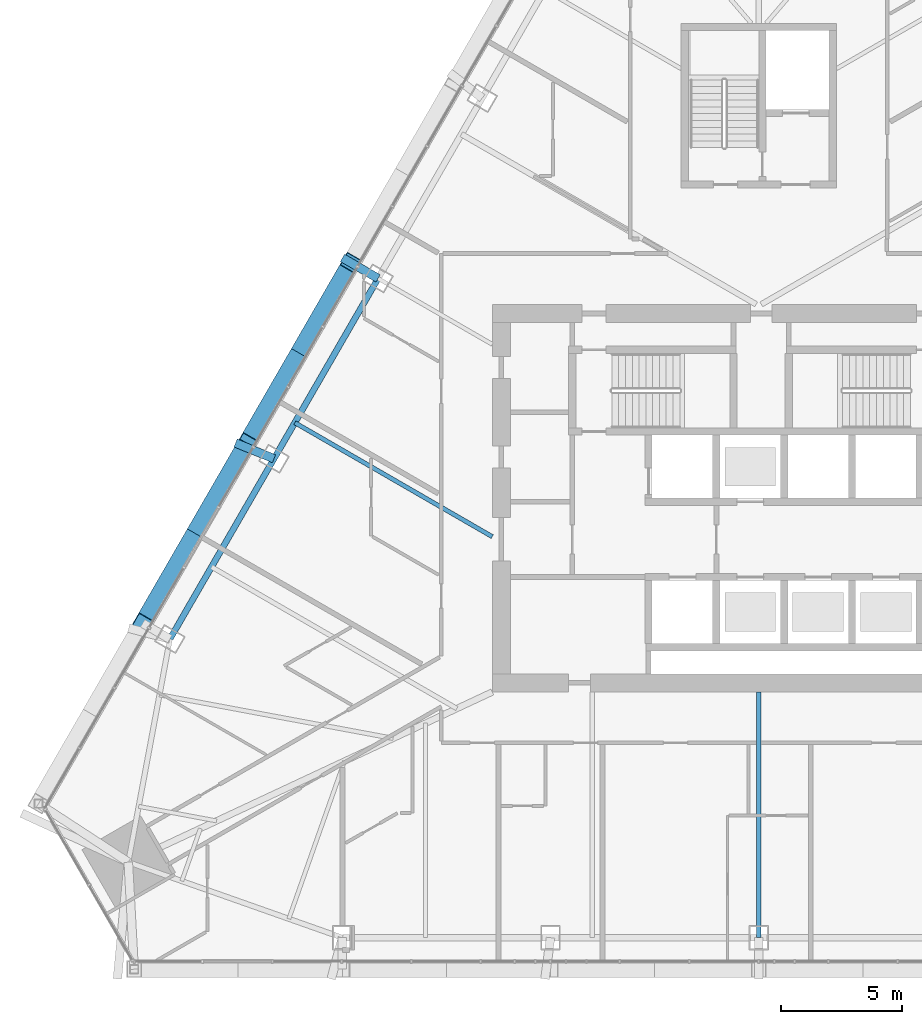
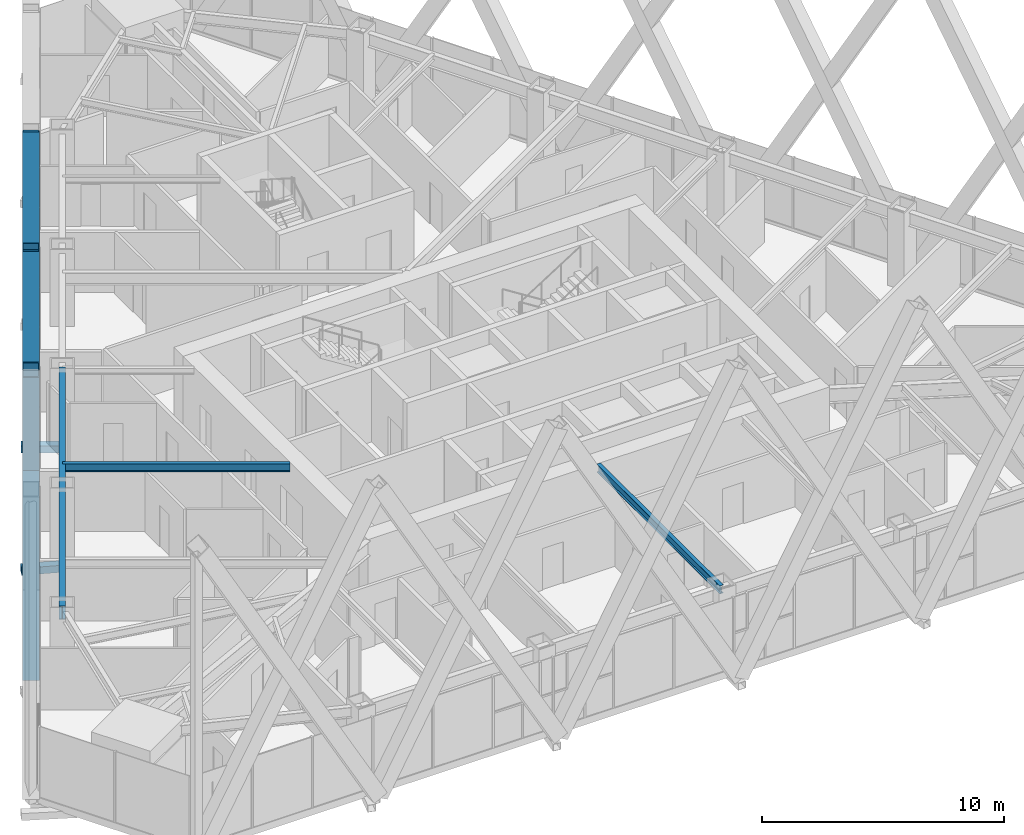
# One storey, part 8 of 23: 6 members, 3 beams.
"""IFC4 building model written with IfcOpenShell, lengths in metres."""

from ifc_helpers import new_model, si_unit, direction, frame, origin, origin_2d, place, context, subcontext, project, spatial, hollow_rectangle, i_section, extrude, material, material_profile, profile_set, type_object, element, save


model = new_model("IFC4")

# Units and contexts
model_context = context("Model", 3, precision=1e-05, world=origin(), true_north=direction((0.0, 1.0)))
body_context = subcontext(model_context, "Body", "Model", "MODEL_VIEW")
ifc_project = project(units=[si_unit("LENGTHUNIT", "METRE"), si_unit("AREAUNIT", "SQUARE_METRE"), si_unit("VOLUMEUNIT", "CUBIC_METRE"), si_unit("PLANEANGLEUNIT", "RADIAN"), si_unit("MASSUNIT", "GRAM", prefix="KILO")], contexts=[model_context])

# Site, building, storey
site_placement = place(None, origin())
site = spatial("IfcSite", under=ifc_project, at=site_placement, CompositionType="ELEMENT")
building_placement = place(site_placement, origin())
building = spatial("IfcBuilding", under=site, at=building_placement, Name="Firuza Gate Tower and Library", CompositionType="ELEMENT")
storey_placement = place(building_placement, frame((0.0, 0.0, 202.60009765625)))
storey = spatial("IfcBuildingStorey", under=building, at=storey_placement, Name="L47", CompositionType="ELEMENT", Elevation=202.60009765625)

# Members
ifc_material_1 = material(Name="Steel S355", Category="steel")
ifc_material_profile_1 = material_profile(ifc_material_1, hollow_rectangle(XDim=0.699951171875, YDim=0.699951171875, WallThickness=0.030029296875, at=origin_2d()))
ifc_profile_set_1 = profile_set([ifc_material_profile_1], Name="Steel S355")
member_type_1 = type_object("IfcMemberType", Name="BU700x700x30 Lattice brace", PredefinedType="BRACE", material=ifc_profile_set_1)
for number, where, z_axis, x_axis, name in (
    (1, (58.1630859375, 84.720947265625, 0.0), (-0.241257548081, -0.417869039528, 0.875888269871), (0.866024734654, -0.500001158966, 0.0), "Lattice brace W 11.4R"),
    (2, (53.8662109375, 77.278564453125, 0.0), (0.241257548081, 0.417869039528, 0.875888269871), (-0.866024734654, 0.500001158966, 0.0), "Lattice brace W 11.4L"),
    (3, (53.8662109375, 77.278564453125, 0.0), (-0.241257548081, -0.417869039528, 0.875888269871), (0.866024734654, -0.500001158966, 0.0), "Lattice brace W 11.5R"),
    (4, (49.5693359375, 69.836181640625, 0.0), (0.241257548081, 0.417869039528, 0.875888269871), (-0.866024734654, 0.500001158966, 0.0), "Lattice brace W 11.5L"),
):
    element("IfcMember", number, at=place(storey_placement, frame(where, z_axis=z_axis, x_axis=x_axis)), inside=storey, type_object=member_type_1, Name=name, PredefinedType="BRACE", context=body_context, shape_type="SweptSolid", body=[
        extrude(hollow_rectangle(XDim=0.699951171875, YDim=0.699951171875, WallThickness=0.030029296875, at=origin_2d()), origin(), (0.0, 0.0, 1.0), 17.810302734375),
    ])
ifc_material_2 = material(Name="Steel S355", Category="steel")
ifc_material_profile_2 = material_profile(ifc_material_2, hollow_rectangle(XDim=0.355712890625, YDim=0.355712890625, WallThickness=0.014892578125, at=origin_2d()))
ifc_profile_set_2 = profile_set([ifc_material_profile_2], Name="Steel S355")
member_type_2 = type_object("IfcMemberType", Name="HSS356x356x16 Lattice node tie", PredefinedType="BRACE", material=ifc_profile_set_2)
member_1_placement = place(storey_placement, frame((54.991943359375, 76.62841796875, -0.320068359375), z_axis=(-0.925290391494, 0.379259398576, 0.0), x_axis=(-0.379259398576, -0.925290391494, 0.0)))
element("IfcMember", 5, at=member_1_placement, inside=storey, type_object=member_type_2, Name="Lattice node tie W L47 255", PredefinedType="BRACE", context=body_context, shape_type="SweptSolid", body=[
    extrude(hollow_rectangle(XDim=0.355712890625, YDim=0.355712890625, WallThickness=0.014892578125, at=origin_2d()), origin(), (0.0, 0.0, 1.0), 1.71435546875),
])
member_2_placement = place(storey_placement, frame((59.288818359375, 84.07080078125, -0.320068359375), z_axis=(-0.865996484538, 0.500050086259, 0.0), x_axis=(-0.500050086259, -0.865996484538, 0.0)))
element("IfcMember", 6, at=member_2_placement, inside=storey, type_object=member_type_2, Name="Lattice node tie W L47 256", PredefinedType="BRACE", context=body_context, shape_type="SweptSolid", body=[
    extrude(hollow_rectangle(XDim=0.355712890625, YDim=0.355712890625, WallThickness=0.014892578125, at=origin_2d()), origin(), (0.0, 0.0, 1.0), 1.698486328125),
])

# Beams
ifc_material_3 = material(Name="Steel S355", Category="steel")
ifc_material_profile_3 = material_profile(ifc_material_3, i_section(OverallWidth=0.177978515625, OverallDepth=0.406982421875, WebThickness=0.0078125, FlangeThickness=0.0126953125, at=origin_2d()))
ifc_profile_set_3 = profile_set([ifc_material_profile_3], Name="Steel S355")
beam_type_1 = type_object("IfcBeamType", Name="W410x60 Floor beam", PredefinedType="JOIST", material=ifc_profile_set_3)
beam_1_placement = place(storey_placement, frame((75.0, 56.8583984375, 3.496337890625), z_axis=(0.0, 1.0, 0.0), x_axis=(-1.0, 0.0, 0.0)))
element("IfcBeam", 7, at=beam_1_placement, inside=storey, type_object=beam_type_1, Name="Floor beam L47 s22", PredefinedType="JOIST", context=body_context, shape_type="SweptSolid", body=[
    extrude(i_section(OverallWidth=0.177978515625, OverallDepth=0.406982421875, WebThickness=0.0078125, FlangeThickness=0.0126953125, at=origin_2d()), origin(), (0.0, 0.0, 1.0), 10.1416015625),
])
beam_2_placement = place(storey_placement, frame((55.851318359375, 78.116943359375, 3.496337890625), z_axis=(0.86602787481, -0.499995720034, 0.0), x_axis=(0.499995720034, 0.86602787481, 0.0)))
element("IfcBeam", 8, at=beam_2_placement, inside=storey, type_object=beam_type_1, Name="Floor beam L47 s83", PredefinedType="JOIST", context=body_context, shape_type="SweptSolid", body=[
    extrude(i_section(OverallWidth=0.177978515625, OverallDepth=0.406982421875, WebThickness=0.0078125, FlangeThickness=0.0126953125, at=origin_2d()), origin(), (0.0, 0.0, 1.0), 9.4091796875),
])
ifc_material_4 = material(Name="Steel S355", Category="steel")
ifc_material_profile_4 = material_profile(ifc_material_4, i_section(OverallWidth=0.2529296875, OverallDepth=0.677978515625, WebThickness=0.01171875, FlangeThickness=0.016357421875, at=origin_2d()))
ifc_profile_set_4 = profile_set([ifc_material_profile_4], Name="Steel S355")
beam_type_2 = type_object("IfcBeamType", Name="W690x125 Edge beam", PredefinedType="SPANDREL", material=ifc_profile_set_4)
beam_3_placement = place(storey_placement, frame((59.288818359375, 84.07080078125, 3.36083984375), z_axis=(-0.500001158966, -0.866024734654, 0.0), x_axis=(0.866024734654, -0.500001158966, 0.0)))
element("IfcBeam", 9, at=beam_3_placement, inside=storey, type_object=beam_type_2, Name="Edge beam L47 e82", PredefinedType="SPANDREL", context=body_context, shape_type="SweptSolid", body=[
    extrude(i_section(OverallWidth=0.2529296875, OverallDepth=0.677978515625, WebThickness=0.01171875, FlangeThickness=0.016357421875, at=origin_2d()), origin(), (0.0, 0.0, 1.0), 17.1875),
])

save(model, "model.ifc")
